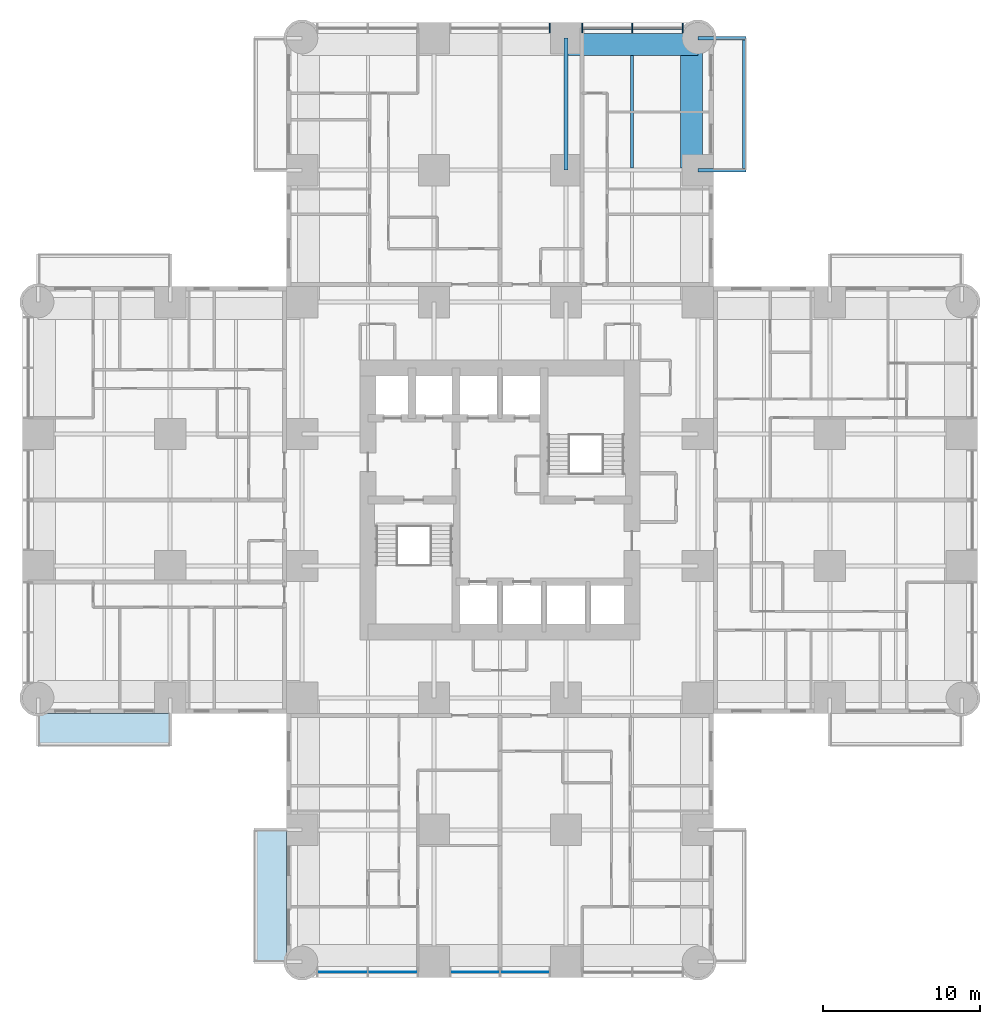
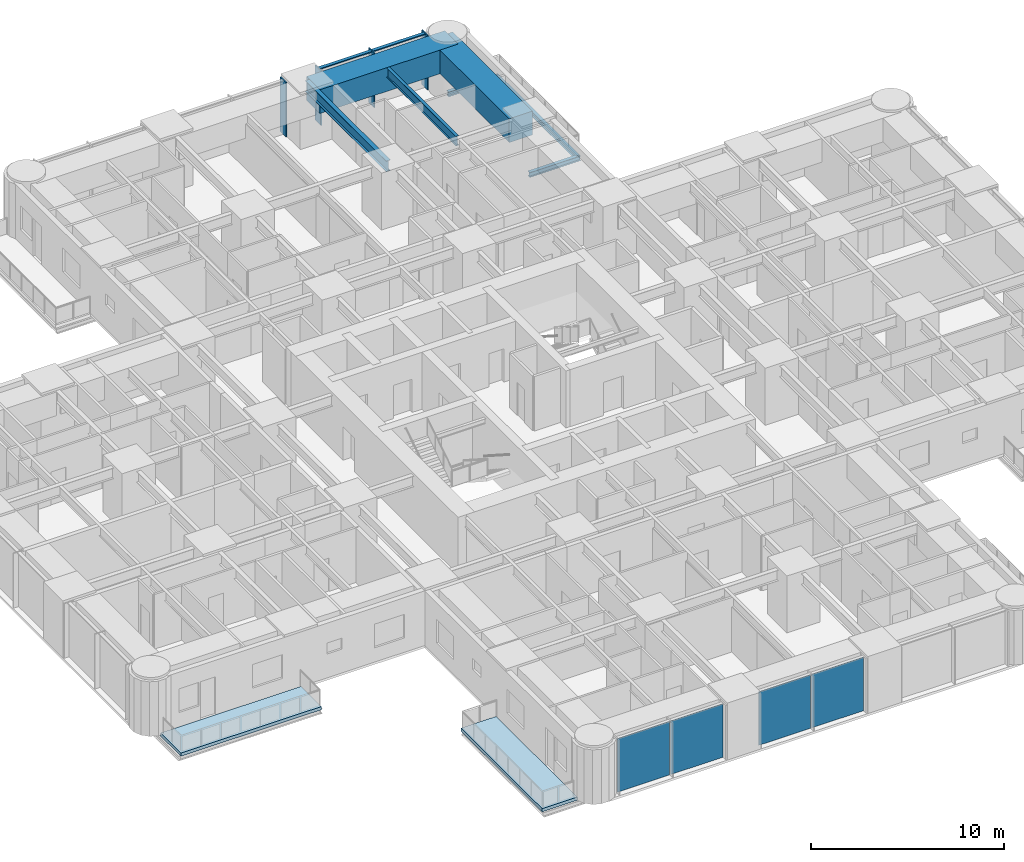
# One storey, part 5 of 17: 7 beams, 6 members, 4 plates, 2 slabs, 2 elements without a shape of their own.
"""IFC4 building model written with IfcOpenShell, lengths in metres."""

from ifc_helpers import new_model, si_unit, direction, frame, origin, origin_2d, place, context, subcontext, project, spatial, polyline, rectangle, i_section, outline, extrude, material, layer, layer_set, material_profile, profile_set, type_object, element, aggregate, save


model = new_model("IFC4")

# Units and contexts
model_context = context("Model", 3, precision=1e-05, world=origin(), true_north=direction((0.0, 1.0)))
body_context = subcontext(model_context, "Body", "Model", "MODEL_VIEW")
ifc_project = project(units=[si_unit("LENGTHUNIT", "METRE"), si_unit("AREAUNIT", "SQUARE_METRE"), si_unit("VOLUMEUNIT", "CUBIC_METRE"), si_unit("PLANEANGLEUNIT", "RADIAN"), si_unit("MASSUNIT", "GRAM", prefix="KILO")], contexts=[model_context])

# Site, building, storey
site_placement = place(None, origin())
site = spatial("IfcSite", under=ifc_project, at=site_placement, CompositionType="ELEMENT")
building_placement = place(site_placement, origin())
building = spatial("IfcBuilding", under=site, at=building_placement, Name="Torre Alcanfor", CompositionType="ELEMENT")
storey_placement = place(building_placement, frame((0.0, 0.0, 95.699951171875)))
storey = spatial("IfcBuildingStorey", under=building, at=storey_placement, Name="L24", CompositionType="ELEMENT", Elevation=95.699951171875)

# Beams
ifc_material_1 = material(Name="Steel ASTM A992 Grade 50", Category="steel")
ifc_material_profile_1 = material_profile(ifc_material_1, i_section(OverallWidth=0.205322265625, OverallDepth=0.309814453125, WebThickness=0.00927734375, FlangeThickness=0.016357421875, at=origin_2d()), Name="W12x50")
ifc_profile_set_1 = profile_set([ifc_material_profile_1], Name="Steel ASTM A992 Grade 50")
beam_type_1 = type_object("IfcBeamType", Name="Balcony cantilever beam W12x50", PredefinedType="BEAM", material=ifc_profile_set_1)
for number, where, z_axis, x_axis, name in (
    (1, (42.0, 50.39990234375, -0.35498046875), (1.0, 0.0, 0.0), (0.0, 1.0, 0.0), "Balcony cantilever beam L24-N2 1"),
    (2, (42.0, 58.800048828125, -0.35498046875), (1.0, 0.0, 0.0), (0.0, 1.0, 0.0), "Balcony cantilever beam L24-N2 2"),
):
    element("IfcBeam", number, at=place(storey_placement, frame(where, z_axis=z_axis, x_axis=x_axis)), inside=storey, type_object=beam_type_1, Name=name, PredefinedType="BEAM", context=body_context, shape_type="SweptSolid", body=[
        extrude(i_section(OverallWidth=0.205322265625, OverallDepth=0.309814453125, WebThickness=0.00927734375, FlangeThickness=0.016357421875, at=origin_2d()), origin(), (0.0, 0.0, 1.0), 3.050048828125),
    ])
ifc_material_2 = material(Name="Steel ASTM A992 Grade 50", Category="steel")
ifc_material_profile_2 = material_profile(ifc_material_2, i_section(OverallWidth=0.203369140625, OverallDepth=0.30224609375, WebThickness=0.007568359375, FlangeThickness=0.01318359375, at=origin_2d()), Name="W12x40")
ifc_profile_set_2 = profile_set([ifc_material_profile_2], Name="Steel ASTM A992 Grade 50")
beam_type_2 = type_object("IfcBeamType", Name="Balcony edge trimmer W12x40", PredefinedType="BEAM", material=ifc_profile_set_2)
beam_1_placement = place(storey_placement, frame((44.9482421875, 50.39990234375, -0.35107421875), z_axis=(0.0, 1.0, 0.0), x_axis=(-1.0, 0.0, 0.0)))
element("IfcBeam", 3, at=beam_1_placement, inside=storey, type_object=beam_type_2, Name="Balcony edge trimmer L24-N2", PredefinedType="BEAM", context=body_context, shape_type="SweptSolid", body=[
    extrude(i_section(OverallWidth=0.203369140625, OverallDepth=0.30224609375, WebThickness=0.007568359375, FlangeThickness=0.01318359375, at=origin_2d()), origin(), (0.0, 0.0, 1.0), 8.400146484375),
])

# Curtain wall, members
ifc_material_3 = material(Name="Aluminium and glass", Category="aluminium")
curtain_wall_type = type_object("IfcCurtainWallType", Name="CW-A unitised apartment glazing with vertical FIN", PredefinedType="NOTDEFINED", material=ifc_material_3)
curtain_wall_1_placement = place(storey_placement, origin())
curtain_wall_1 = element("IfcCurtainWall", 4, at=curtain_wall_1_placement, inside=storey, type_object=curtain_wall_type, Name="Curtain wall CW-A L24 11", PredefinedType="NOTDEFINED")
ifc_material_4 = material(Name="Bronze anodised aluminium", Category="aluminium")
ifc_material_profile_3 = material_profile(ifc_material_4, rectangle(XDim=0.60009765625, YDim=0.06494140625, at=origin_2d()), Name="CW-A mullion 65x600")
ifc_profile_set_3 = profile_set([ifc_material_profile_3], Name="Bronze anodised aluminium")
member_type_1 = type_object("IfcMemberType", Name="CW-A mullion with vertical FIN 65x600", PredefinedType="MULLION", material=ifc_profile_set_3)
member_1_placement = place(storey_placement, frame((41.025390625, 59.449951171875, 0.0), z_axis=(0.0, 0.0, 1.0), x_axis=(0.0, -1.0, 0.0)))
member_1 = element("IfcMember", 5, at=member_1_placement, type_object=member_type_1, Name="CW-A mullion 1.1", PredefinedType="MULLION", context=body_context, shape_type="SweptSolid", body=[
    extrude(rectangle(XDim=0.60009765625, YDim=0.06494140625, at=origin_2d()), origin(), (0.0, 0.0, 1.0), 3.449951171875),
])
member_2_placement = place(storey_placement, frame((37.83154296875, 59.449951171875, 0.0), z_axis=(0.0, 0.0, 1.0), x_axis=(0.0, -1.0, 0.0)))
member_2 = element("IfcMember", 6, at=member_2_placement, type_object=member_type_1, Name="CW-A mullion 1.2", PredefinedType="MULLION", context=body_context, shape_type="SweptSolid", body=[
    extrude(rectangle(XDim=0.60009765625, YDim=0.06494140625, at=origin_2d()), origin(), (0.0, 0.0, 1.0), 3.449951171875),
])
member_3_placement = place(storey_placement, frame((34.637451171875, 59.449951171875, 0.0), z_axis=(0.0, 0.0, 1.0), x_axis=(0.0, -1.0, 0.0)))
member_3 = element("IfcMember", 7, at=member_3_placement, type_object=member_type_1, Name="CW-A mullion 1.3", PredefinedType="MULLION", context=body_context, shape_type="SweptSolid", body=[
    extrude(rectangle(XDim=0.60009765625, YDim=0.06494140625, at=origin_2d()), origin(), (0.0, 0.0, 1.0), 3.449951171875),
])
member_4_placement = place(storey_placement, frame((32.5625, 59.449951171875, 0.0), z_axis=(0.0, 0.0, 1.0), x_axis=(0.0, -1.0, 0.0)))
member_4 = element("IfcMember", 8, at=member_4_placement, type_object=member_type_1, Name="CW-A mullion 2.1", PredefinedType="MULLION", context=body_context, shape_type="SweptSolid", body=[
    extrude(rectangle(XDim=0.60009765625, YDim=0.06494140625, at=origin_2d()), origin(), (0.0, 0.0, 1.0), 3.449951171875),
])
ifc_material_5 = material(Name="Extruded aluminium", Category="aluminium")
ifc_material_profile_4 = material_profile(ifc_material_5, rectangle(XDim=0.199951171875, YDim=0.06494140625, at=origin_2d()), Name="CW-A transom 200x65")
ifc_profile_set_4 = profile_set([ifc_material_profile_4], Name="Extruded aluminium")
member_type_2 = type_object("IfcMemberType", Name="CW-A transom 65x200", PredefinedType="USERDEFINED", material=ifc_profile_set_4)
member_5_placement = place(storey_placement, frame((40.992919921875, 59.449951171875, 3.41748046875), z_axis=(-1.0, 0.0, 0.0), x_axis=(0.0, -1.0, 0.0)))
member_5 = element("IfcMember", 9, at=member_5_placement, type_object=member_type_2, Name="CW-A transom 1.1.2", ObjectType="TRANSOM", PredefinedType="USERDEFINED", context=body_context, shape_type="SweptSolid", body=[
    extrude(rectangle(XDim=0.199951171875, YDim=0.06494140625, at=origin_2d()), origin(), (0.0, 0.0, 1.0), 3.12890625),
])
member_6_placement = place(storey_placement, frame((37.799072265625, 59.449951171875, 3.41748046875), z_axis=(-1.0, 0.0, 0.0), x_axis=(0.0, -1.0, 0.0)))
member_6 = element("IfcMember", 10, at=member_6_placement, type_object=member_type_2, Name="CW-A transom 1.2.2", ObjectType="TRANSOM", PredefinedType="USERDEFINED", context=body_context, shape_type="SweptSolid", body=[
    extrude(rectangle(XDim=0.199951171875, YDim=0.06494140625, at=origin_2d()), origin(), (0.0, 0.0, 1.0), 3.129150390625),
])
aggregate(curtain_wall_1, [member_1, member_2, member_3, member_5, member_6, member_4])

# Beams
ifc_material_6 = material(Name="Steel ASTM A992 Grade 50", Category="steel")
ifc_material_profile_5 = material_profile(ifc_material_6, i_section(OverallWidth=0.25390625, OverallDepth=0.683349609375, WebThickness=0.012451171875, FlangeThickness=0.01904296875, at=origin_2d()), Name="W27x94")
ifc_profile_set_5 = profile_set([ifc_material_profile_5], Name="Steel ASTM A992 Grade 50")
beam_type_3 = type_object("IfcBeamType", Name="Girder W27x94", PredefinedType="BEAM", material=ifc_profile_set_5)
beam_2_placement = place(storey_placement, frame((33.60009765625, 50.39990234375, 3.1083984375), z_axis=(0.0, 1.0, 0.0), x_axis=(-1.0, 0.0, 0.0)))
element("IfcBeam", 11, at=beam_2_placement, inside=storey, type_object=beam_type_3, Name="Beam 5J-5K under L25", PredefinedType="BEAM", context=body_context, shape_type="SweptSolid", body=[
    extrude(i_section(OverallWidth=0.25390625, OverallDepth=0.683349609375, WebThickness=0.012451171875, FlangeThickness=0.01904296875, at=origin_2d()), origin(), (0.0, 0.0, 1.0), 8.400146484375),
])
ifc_material_7 = material(Name="Concrete f'c 70 MPa", Category="concrete")
ifc_material_profile_6 = material_profile(ifc_material_7, rectangle(XDim=1.39990234375, YDim=1.5, at=origin_2d()), Name="1400x1500")
ifc_profile_set_6 = profile_set([ifc_material_profile_6], Name="Concrete f'c 70 MPa")
beam_type_4 = type_object("IfcBeamType", Name="RC perimeter beam 1400x1500", PredefinedType="BEAM", material=ifc_profile_set_6)
for number, where, z_axis, x_axis, name in (
    (12, (33.72705078125, 58.39990234375, 2.699951171875), (1.0, 0.0, 0.0), (0.0, 1.0, 0.0), "Beam 5K-6K under L25"),
    (13, (41.60009765625, 50.527099609375, 2.699951171875), (0.0, 1.0, 0.0), (-1.0, 0.0, 0.0), "Beam 6J-6K under L25"),
):
    element("IfcBeam", number, at=place(storey_placement, frame(where, z_axis=z_axis, x_axis=x_axis)), inside=storey, type_object=beam_type_4, Name=name, PredefinedType="BEAM", context=body_context, shape_type="SweptSolid", body=[
        extrude(rectangle(XDim=1.39990234375, YDim=1.5, at=origin_2d()), origin(), (0.0, 0.0, 1.0), 8.27294921875),
    ])
ifc_material_8 = material(Name="Steel ASTM A992 Grade 50", Category="steel")
ifc_material_profile_7 = material_profile(ifc_material_8, i_section(OverallWidth=0.1787109375, OverallDepth=0.60205078125, WebThickness=0.010986328125, FlangeThickness=0.014892578125, at=origin_2d()), Name="W24x62")
ifc_profile_set_7 = profile_set([ifc_material_profile_7], Name="Steel ASTM A992 Grade 50")
beam_type_5 = type_object("IfcBeamType", Name="Secondary beam W24x62", PredefinedType="BEAM", material=ifc_profile_set_7)
beam_3_placement = place(storey_placement, frame((37.800048828125, 50.527099609375, 3.149169921875), z_axis=(0.0, 1.0, 0.0), x_axis=(-1.0, 0.0, 0.0)))
element("IfcBeam", 14, at=beam_3_placement, inside=storey, type_object=beam_type_5, Name="Beam 37_8J-37_8K under L25", PredefinedType="BEAM", context=body_context, shape_type="SweptSolid", body=[
    extrude(i_section(OverallWidth=0.1787109375, OverallDepth=0.60205078125, WebThickness=0.010986328125, FlangeThickness=0.014892578125, at=origin_2d()), origin(), (0.0, 0.0, 1.0), 7.1728515625),
])

# Slabs
ifc_material_9 = material(Name="Concrete f'c 35 MPa", Category="concrete")
ifc_layer_1 = layer(ifc_material_9, 0.199951171875)
ifc_layer_set_1 = layer_set([ifc_layer_1], Name="Balcony slab 200")
slab_type = type_object("IfcSlabType", Name="Balcony slab 200", PredefinedType="FLOOR", material=ifc_layer_set_1)
slab_1_placement = place(storey_placement, frame((0.0, 0.0, -0.199951171875)))
element("IfcSlab", 15, at=slab_1_placement, inside=storey, type_object=slab_type, Name="Balcony L24-S2", PredefinedType="FLOOR", context=body_context, shape_type="SweptSolid", body=[
    extrude(outline(polyline([(13.699951171875, 8.39990234375), (13.699951171875, 0.0), (15.800048828125, 0.0), (15.800048828125, 8.39990234375), (13.699951171875, 8.39990234375)])), origin(), (0.0, 0.0, 1.0), 0.199951171875),
])
slab_2_placement = place(storey_placement, frame((0.0, 0.0, -0.199951171875)))
element("IfcSlab", 16, at=slab_2_placement, inside=storey, type_object=slab_type, Name="Balcony L24-W1", PredefinedType="FLOOR", context=body_context, shape_type="SweptSolid", body=[
    extrude(outline(polyline([(8.39990234375, 15.800048828125), (0.0, 15.800048828125), (0.0, 13.699951171875), (8.39990234375, 13.699951171875), (8.39990234375, 15.800048828125)])), origin(), (0.0, 0.0, 1.0), 0.199951171875),
])

# Curtain wall, plates
curtain_wall_2_placement = place(storey_placement, origin())
curtain_wall_2 = element("IfcCurtainWall", 17, at=curtain_wall_2_placement, inside=storey, type_object=curtain_wall_type, Name="Curtain wall CW-A L24 5", PredefinedType="NOTDEFINED")
ifc_material_10 = material(Name="Glass", Category="glass")
ifc_layer_2 = layer(ifc_material_10, 0.028076171875)
ifc_layer_set_2 = layer_set([ifc_layer_2], Name="CW-A clear double glazed unit")
plate_type = type_object("IfcPlateType", Name="CW-A clear double glazed unit", PredefinedType="CURTAIN_PANEL", material=ifc_layer_set_2)
plate_1_placement = place(storey_placement, frame((19.37158203125, -0.64990234375, 0.0), z_axis=(0.0, 0.0, 1.0), x_axis=(1.0, 0.0, 0.0)))
plate_1 = element("IfcPlate", 18, at=plate_1_placement, type_object=plate_type, Name="CW-A panel 1.1.1", PredefinedType="CURTAIN_PANEL", context=body_context, shape_type="SweptSolid", body=[
    extrude(rectangle(XDim=3.12890625, YDim=0.028076171875, at=origin_2d()), origin(), (0.0, 0.0, 1.0), 3.385009765625),
])
plate_2_placement = place(storey_placement, frame((22.5654296875, -0.64990234375, 0.0), z_axis=(0.0, 0.0, 1.0), x_axis=(1.0, 0.0, 0.0)))
plate_2 = element("IfcPlate", 19, at=plate_2_placement, type_object=plate_type, Name="CW-A panel 1.2.1", PredefinedType="CURTAIN_PANEL", context=body_context, shape_type="SweptSolid", body=[
    extrude(rectangle(XDim=3.12890625, YDim=0.028076171875, at=origin_2d()), origin(), (0.0, 0.0, 1.0), 3.385009765625),
])
plate_3_placement = place(storey_placement, frame((27.81884765625, -0.64990234375, 0.0), z_axis=(0.0, 0.0, 1.0), x_axis=(1.0, 0.0, 0.0)))
plate_3 = element("IfcPlate", 20, at=plate_3_placement, type_object=plate_type, Name="CW-A panel 2.1.1", PredefinedType="CURTAIN_PANEL", context=body_context, shape_type="SweptSolid", body=[
    extrude(rectangle(XDim=3.097412109375, YDim=0.028076171875, at=origin_2d()), origin(), (0.0, 0.0, 1.0), 3.385009765625),
])
plate_4_placement = place(storey_placement, frame((30.981201171875, -0.64990234375, 0.0), z_axis=(0.0, 0.0, 1.0), x_axis=(1.0, 0.0, 0.0)))
plate_4 = element("IfcPlate", 21, at=plate_4_placement, type_object=plate_type, Name="CW-A panel 2.2.1", PredefinedType="CURTAIN_PANEL", context=body_context, shape_type="SweptSolid", body=[
    extrude(rectangle(XDim=3.097412109375, YDim=0.028076171875, at=origin_2d()), origin(), (0.0, 0.0, 1.0), 3.385009765625),
])
aggregate(curtain_wall_2, [plate_1, plate_2, plate_3, plate_4])

save(model, "model.ifc")
